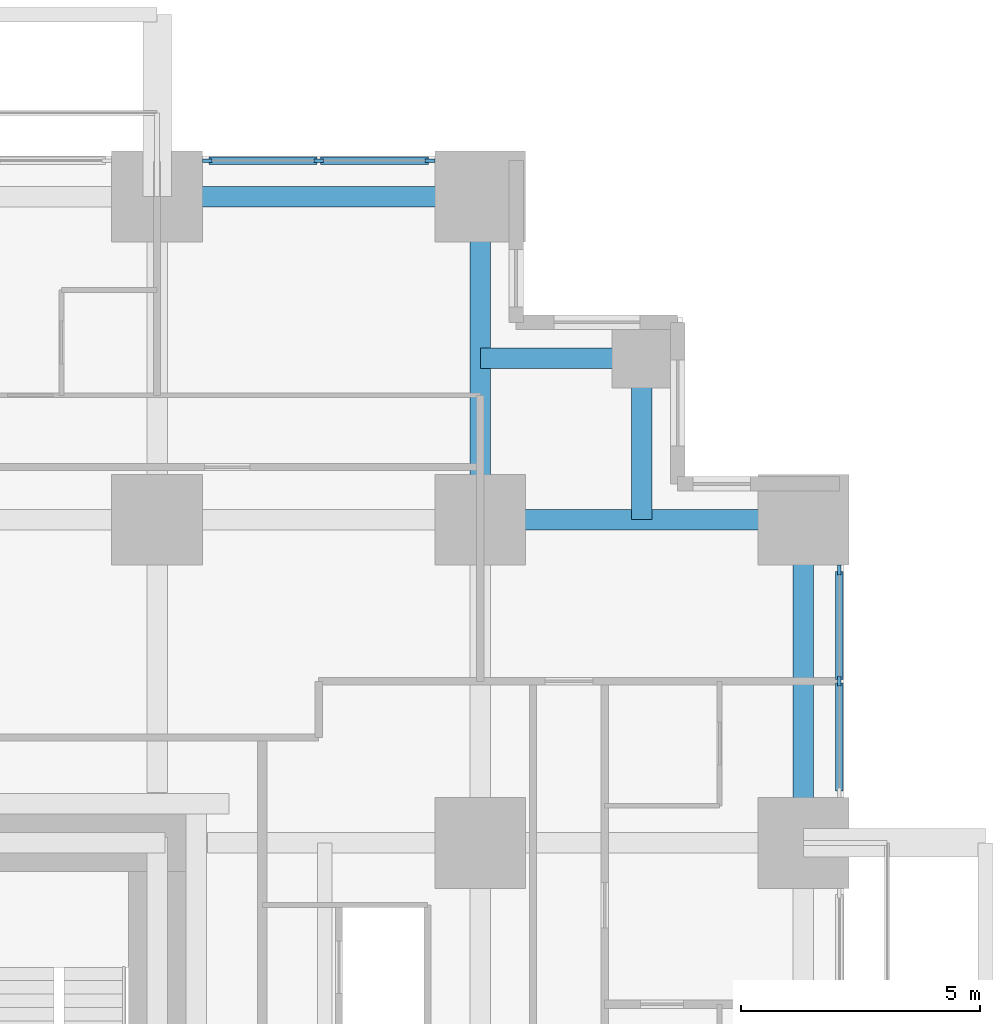
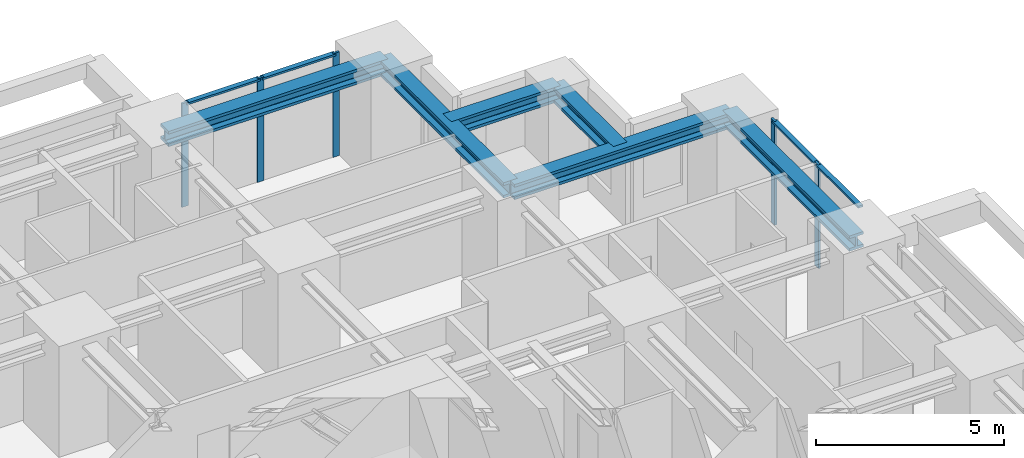
# One storey, part 6 of 14: 9 members, 6 beams, 2 elements without a shape of their own.
"""IFC4 building model written with IfcOpenShell, lengths in metres."""

import ifcopenshell
import ifcopenshell.guid

model = None  # the IFC model being written
_history = None  # IfcOwnerHistory: only IFC2X3 demands one
_inside = {}  # id of a spatial element -> (the spatial element, [elements in it])
_under = {}  # id of a project, library or spatial element -> (it, [spatial elements below it])
_declared = {}  # id of a project -> (the project, [libraries it declares])
_typed = {}  # id of a type object -> (the type object, [elements of that type])
_made_of = {}  # id of a material, layer set ... -> (it, [elements and type objects made of it])


def new_model(schema):
    """Start an empty IFC model of exactly this schema.

    Asked for "IFC4X3", IfcOpenShell would pick the latest addendum, in which some entities
    have other attributes; the version numbers below select the first issue.
    IFC2X3 requires an IfcOwnerHistory on every rooted entity: one is made here for all.
    """
    global model, _history
    if schema == "IFC4X3":
        model = ifcopenshell.file(schema_version=(4, 3, 0, 0))
    else:
        model = ifcopenshell.file(schema=schema)
    _inside.clear()
    _under.clear()
    _declared.clear()
    _typed.clear()
    _made_of.clear()
    _history = None
    if model.schema == "IFC2X3":
        org = make("IfcOrganization", Name="unknown")
        user = make(
            "IfcPersonAndOrganization",
            ThePerson=make("IfcPerson", FamilyName="unknown"),
            TheOrganization=org,
        )
        app = make(
            "IfcApplication",
            ApplicationDeveloper=org,
            Version="unknown",
            ApplicationFullName="unknown",
            ApplicationIdentifier="unknown",
        )
        _history = make(
            "IfcOwnerHistory",
            OwningUser=user,
            OwningApplication=app,
            ChangeAction="ADDED",
            CreationDate=0,
        )
    return model


def make(cls, **values):
    """One entity of the class cls with the attributes given. An attribute that is None is left unset."""
    return model.create_entity(
        cls, **{name: value for name, value in values.items() if value is not None}
    )


def rooted(cls, **values):
    """An entity with a GlobalId (a new one), such as an element, a storey or a relation."""
    return make(cls, GlobalId=ifcopenshell.guid.new(), OwnerHistory=_history, **values)


def si_unit(unit_type, name, prefix=None):
    """IfcSIUnit, for example si_unit("LENGTHUNIT", "METRE", prefix="MILLI")."""
    return make("IfcSIUnit", UnitType=unit_type, Prefix=prefix, Name=name)


def assignment(units):
    """IfcUnitAssignment: the units of a project."""
    return None if units is None else make("IfcUnitAssignment", Units=units)


def point(xyz):
    """IfcCartesianPoint."""
    return None if xyz is None else make("IfcCartesianPoint", Coordinates=xyz)


def direction(xyz):
    """IfcDirection."""
    return None if xyz is None else make("IfcDirection", DirectionRatios=xyz)


def frame(location, z_axis=None, x_axis=None):
    """IfcAxis2Placement3D, a coordinate frame: its origin and axes. An axis left out is left unset."""
    return make(
        "IfcAxis2Placement3D",
        Location=point(location),
        Axis=direction(z_axis),
        RefDirection=direction(x_axis),
    )


def frame_2d(location, x_axis=None):
    """IfcAxis2Placement2D, a coordinate frame in the plane: its origin and x axis."""
    return make(
        "IfcAxis2Placement2D", Location=point(location), RefDirection=direction(x_axis)
    )


def origin():
    """The frame at (0, 0, 0) with its axes left unset."""
    return frame((0.0, 0.0, 0.0))


def origin_2d():
    """The frame at (0, 0) in the plane with its x axis left unset."""
    return frame_2d((0.0, 0.0))


def place(relative_to, where):
    """IfcLocalPlacement: puts the frame where relative to a parent placement (None: the world)."""
    return make(
        "IfcLocalPlacement", PlacementRelTo=relative_to, RelativePlacement=where
    )


def context(
    kind, dimensions, precision=None, world=None, true_north=None, identifier=None
):
    """IfcGeometricRepresentationContext, for example the 3D "Model" context."""
    return make(
        "IfcGeometricRepresentationContext",
        ContextIdentifier=identifier,
        ContextType=kind,
        CoordinateSpaceDimension=dimensions,
        Precision=precision,
        WorldCoordinateSystem=world,
        TrueNorth=true_north,
    )


def subcontext(parent, identifier, kind, view, scale=None):
    """IfcGeometricRepresentationSubContext, for example "Body" below "Model"."""
    return make(
        "IfcGeometricRepresentationSubContext",
        ContextIdentifier=identifier,
        ContextType=kind,
        ParentContext=parent,
        TargetScale=scale,
        TargetView=view,
    )


def project(units=None, contexts=None):
    """IfcProject with its units and contexts."""
    return rooted(
        "IfcProject",
        Name="project",
        RepresentationContexts=contexts,
        UnitsInContext=assignment(units),
    )


def spatial(cls, under=None, at=None, **own):
    """A site, building, storey or space (cls), placed at a placement, below another one or the project."""
    s = rooted(cls, ObjectPlacement=at, **own)
    if under is not None:
        _under.setdefault(under.id(), (under, []))[1].append(s)
    return s


def profile(cls, at=None, kind="AREA", **sizes):
    """A parametric profile (cls). Its sizes go by their IFC names, for example OverallWidth=200.0."""
    return make(cls, ProfileType=kind, Position=at, **sizes)


def rectangle(**sizes):
    """IfcRectangleProfileDef."""
    return profile("IfcRectangleProfileDef", **sizes)


def i_section(**sizes):
    """IfcIShapeProfileDef."""
    return profile("IfcIShapeProfileDef", **sizes)


def extrude(swept, where, along, depth):
    """IfcExtrudedAreaSolid: the profile swept, set in the frame where, extruded along a direction by depth."""
    return make(
        "IfcExtrudedAreaSolid",
        SweptArea=swept,
        Position=where,
        ExtrudedDirection=direction(along),
        Depth=depth,
    )


def shape(context_of_items, identifier, shape_type, items):
    """IfcShapeRepresentation: the items that make up one representation, for example the "Body"."""
    return make(
        "IfcShapeRepresentation",
        ContextOfItems=context_of_items,
        RepresentationIdentifier=identifier,
        RepresentationType=shape_type,
        Items=items,
    )


def material(Name=None, Category=None):
    """IfcMaterial."""
    return make("IfcMaterial", Name=Name, Category=Category)


def material_profile(
    of_material, cross_section, Name=None, Category=None, Priority=None
):
    """IfcMaterialProfile: a cross section and its material."""
    return make(
        "IfcMaterialProfile",
        Name=Name,
        Material=of_material,
        Profile=cross_section,
        Priority=Priority,
        Category=Category,
    )


def profile_set(profiles, Name=None, composite=None):
    """IfcMaterialProfileSet."""
    return make(
        "IfcMaterialProfileSet",
        Name=Name,
        MaterialProfiles=profiles,
        CompositeProfile=composite,
    )


def made_of(thing, what):
    """Note that an element or type object is made of a material, layer set ...; save() writes the relation."""
    if what is not None:
        _made_of.setdefault(what.id(), (what, []))[1].append(thing)
    return thing


def type_object(cls, material=None, **own):
    """A type object (cls), such as IfcWallType, which elements share."""
    return made_of(rooted(cls, **own), material)


def element(
    cls,
    number,
    at=None,
    inside=None,
    cuts=None,
    type_object=None,
    material=None,
    context=None,
    identifier="Body",
    shape_type=None,
    held_by="IfcProductDefinitionShape",
    body=None,
    shapes=None,
    **own,
):
    """One element of the class cls, such as IfcWall. Its Tag is "e" and its number.

    at: its placement. inside: the storey or other place that contains it. cuts: it is an
    opening in that element (IfcRelVoidsElement). A single representation is given by context,
    identifier, shape_type and body (its items); several are given by shapes. held_by: the class
    of the entity that holds the representations. save() writes the other relations.
    """
    e = rooted(cls, Tag="e%d" % number, ObjectPlacement=at, **own)
    if body is not None:
        shapes = [shape(context, identifier, shape_type, body)]
    if shapes is not None:
        e.Representation = make(held_by, Representations=shapes)
    if inside is not None:
        _inside.setdefault(inside.id(), (inside, []))[1].append(e)
    if cuts is not None:
        rooted(
            "IfcRelVoidsElement", RelatingBuildingElement=cuts, RelatedOpeningElement=e
        )
    if type_object is not None:
        _typed.setdefault(type_object.id(), (type_object, []))[1].append(e)
    return made_of(e, material)


def aggregate(whole, parts):
    """IfcRelAggregates: a whole, such as a stair, and the parts it consists of."""
    return rooted("IfcRelAggregates", RelatingObject=whole, RelatedObjects=parts)


def save(model, path):
    """Write the relations noted so far, then the file.

    IfcRelAggregates (storeys below a building ...), IfcRelContainedInSpatialStructure (elements
    in a storey), IfcRelDefinesByType, IfcRelAssociatesMaterial and IfcRelDeclares: one each for
    every whole, place, type object, material and project.
    """
    for whole, parts in _under.values():
        aggregate(whole, parts)
    for where, things in _inside.values():
        rooted(
            "IfcRelContainedInSpatialStructure",
            RelatedElements=things,
            RelatingStructure=where,
        )
    for kind, things in _typed.values():
        rooted("IfcRelDefinesByType", RelatedObjects=things, RelatingType=kind)
    for what, things in _made_of.values():
        rooted("IfcRelAssociatesMaterial", RelatedObjects=things, RelatingMaterial=what)
    for by, libraries in _declared.values():
        rooted("IfcRelDeclares", RelatingContext=by, RelatedDefinitions=libraries)
    model.write(path)


model = new_model("IFC4")

# Units and contexts
model_context = context("Model", 3, precision=1e-05, world=origin(), true_north=direction((0.0, 1.0)))
body_context = subcontext(model_context, "Body", "Model", "MODEL_VIEW")
ifc_project = project(units=[si_unit("LENGTHUNIT", "METRE"), si_unit("AREAUNIT", "SQUARE_METRE"), si_unit("VOLUMEUNIT", "CUBIC_METRE"), si_unit("PLANEANGLEUNIT", "RADIAN"), si_unit("MASSUNIT", "GRAM", prefix="KILO")], contexts=[model_context])

# Site, building, storey
site_placement = place(None, origin())
site = spatial("IfcSite", under=ifc_project, at=site_placement, CompositionType="ELEMENT")
building_placement = place(site_placement, origin())
building = spatial("IfcBuilding", under=site, at=building_placement, Name="Nyansa Garden Tower", CompositionType="ELEMENT")
storey_placement = place(building_placement, frame((0.0, 0.0, 18.0)))
storey = spatial("IfcBuildingStorey", under=building, at=storey_placement, Name="L04", CompositionType="ELEMENT", Elevation=18.0)

# Curtain wall, members
ifc_material_1 = material(Name="Black anodised aluminium, dark tinted double glazing", Category="aluminium")
curtain_wall_type = type_object("IfcCurtainWallType", Name="Inner skin curtain wall ISW-A", PredefinedType="USERDEFINED", material=ifc_material_1)
curtain_wall_1_placement = place(storey_placement, origin())
curtain_wall_1 = element("IfcCurtainWall", 1, at=curtain_wall_1_placement, inside=storey, type_object=curtain_wall_type, Name="Inner skin curtain wall L04 E", ObjectType="UNITISED CURTAIN WALL", PredefinedType="USERDEFINED")
ifc_material_2 = material(Name="Black anodised aluminium", Category="aluminium")
ifc_material_profile_1 = material_profile(ifc_material_2, rectangle(XDim=0.06494140625, YDim=0.199951171875, at=origin_2d()), Name="Mullion 200x65")
ifc_profile_set_1 = profile_set([ifc_material_profile_1], Name="Black anodised aluminium")
member_type_1 = type_object("IfcMemberType", Name="Mullion ISW-A 200x65", PredefinedType="MULLION", material=ifc_profile_set_1)
member_1_placement = place(storey_placement, frame((41.25, 30.375, 0.0), z_axis=(0.0, 0.0, 1.0), x_axis=(-1.0, 0.0, 0.0)))
member_1 = element("IfcMember", 2, at=member_1_placement, type_object=member_type_1, Name="ISW-A mullion 2", PredefinedType="MULLION", context=body_context, shape_type="SweptSolid", body=[
    extrude(rectangle(XDim=0.06494140625, YDim=0.199951171875, at=origin_2d()), origin(), (0.0, 0.0, 1.0), 3.375),
])
member_2_placement = place(storey_placement, frame((41.25, 32.699951171875, 0.0), z_axis=(0.0, 0.0, 1.0), x_axis=(-1.0, 0.0, 0.0)))
member_2 = element("IfcMember", 3, at=member_2_placement, type_object=member_type_1, Name="ISW-A mullion 3", PredefinedType="MULLION", context=body_context, shape_type="SweptSolid", body=[
    extrude(rectangle(XDim=0.06494140625, YDim=0.199951171875, at=origin_2d()), origin(), (0.0, 0.0, 1.0), 3.375),
])

curtain_wall_2_placement = place(storey_placement, origin())
curtain_wall_2 = element("IfcCurtainWall", 4, at=curtain_wall_2_placement, inside=storey, type_object=curtain_wall_type, Name="Inner skin curtain wall L04 N", ObjectType="UNITISED CURTAIN WALL", PredefinedType="USERDEFINED")
member_3_placement = place(storey_placement, frame((32.699951171875, 41.25, 0.0), z_axis=(0.0, 0.0, 1.0), x_axis=(0.0, -1.0, 0.0)))
member_3 = element("IfcMember", 5, at=member_3_placement, type_object=member_type_1, Name="ISW-A mullion 1", PredefinedType="MULLION", context=body_context, shape_type="SweptSolid", body=[
    extrude(rectangle(XDim=0.06494140625, YDim=0.199951171875, at=origin_2d()), origin(), (0.0, 0.0, 1.0), 3.375),
])
member_4_placement = place(storey_placement, frame((30.375, 41.25, 0.0), z_axis=(0.0, 0.0, 1.0), x_axis=(0.0, -1.0, 0.0)))
member_4 = element("IfcMember", 6, at=member_4_placement, type_object=member_type_1, Name="ISW-A mullion 2", PredefinedType="MULLION", context=body_context, shape_type="SweptSolid", body=[
    extrude(rectangle(XDim=0.06494140625, YDim=0.199951171875, at=origin_2d()), origin(), (0.0, 0.0, 1.0), 3.375),
])
member_5_placement = place(storey_placement, frame((28.050048828125, 41.25, 0.0), z_axis=(0.0, 0.0, 1.0), x_axis=(0.0, -1.0, 0.0)))
member_5 = element("IfcMember", 7, at=member_5_placement, type_object=member_type_1, Name="ISW-A mullion 3", PredefinedType="MULLION", context=body_context, shape_type="SweptSolid", body=[
    extrude(rectangle(XDim=0.06494140625, YDim=0.199951171875, at=origin_2d()), origin(), (0.0, 0.0, 1.0), 3.375),
])

# Beams
ifc_material_3 = material(Name="Steel S355", Category="steel")
ifc_material_profile_2 = material_profile(ifc_material_3, i_section(OverallWidth=0.431884765625, OverallDepth=0.498046875, WebThickness=0.0556640625, FlangeThickness=0.0888671875, FilletRadius=0.014892578125, at=origin_2d()), Name="HD 400x744")
ifc_profile_set_2 = profile_set([ifc_material_profile_2], Name="Steel S355")
beam_type_1 = type_object("IfcBeamType", Name="Steel beam SBA1-744 HD 400x744", PredefinedType="BEAM", material=ifc_profile_set_2)
for number, where, z_axis, x_axis, name in (
    (8, (33.75, 33.75, 3.1259765625), (0.0, 1.0, 0.0), (-1.0, 0.0, 0.0), "Steel beam 7/J-7/K L05"),
    (9, (33.75, 33.75, 3.1259765625), (1.0, 0.0, 0.0), (0.0, 1.0, 0.0), "Steel beam 7/J-8/J L05"),
):
    element("IfcBeam", number, at=place(storey_placement, frame(where, z_axis=z_axis, x_axis=x_axis)), inside=storey, type_object=beam_type_1, Name=name, PredefinedType="BEAM", context=body_context, shape_type="SweptSolid", body=[
        extrude(i_section(OverallWidth=0.431884765625, OverallDepth=0.498046875, WebThickness=0.0556640625, FlangeThickness=0.0888671875, FilletRadius=0.014892578125, at=origin_2d()), origin(), (0.0, 0.0, 1.0), 6.75),
    ])
ifc_material_4 = material(Name="Steel S355", Category="steel")
ifc_material_profile_3 = material_profile(ifc_material_4, i_section(OverallWidth=0.431884765625, OverallDepth=0.498046875, WebThickness=0.0556640625, FlangeThickness=0.0888671875, FilletRadius=0.014892578125, at=origin_2d()), Name="HD 400x744")
ifc_profile_set_3 = profile_set([ifc_material_profile_3], Name="Steel S355")
beam_type_2 = type_object("IfcBeamType", Name="Steel beam SEBA-744 HD 400x744", PredefinedType="BEAM", material=ifc_profile_set_3)
for number, where, z_axis, x_axis, name in (
    (10, (27.0, 40.5, 3.1259765625), (1.0, 0.0, 0.0), (0.0, 1.0, 0.0), "Steel edge beam 6/K-7/K L05"),
    (11, (40.5, 27.0, 3.1259765625), (0.0, 1.0, 0.0), (-1.0, 0.0, 0.0), "Steel edge beam 8/H-8/J L05"),
):
    element("IfcBeam", number, at=place(storey_placement, frame(where, z_axis=z_axis, x_axis=x_axis)), inside=storey, type_object=beam_type_2, Name=name, PredefinedType="BEAM", context=body_context, shape_type="SweptSolid", body=[
        extrude(i_section(OverallWidth=0.431884765625, OverallDepth=0.498046875, WebThickness=0.0556640625, FlangeThickness=0.0888671875, FilletRadius=0.014892578125, at=origin_2d()), origin(), (0.0, 0.0, 1.0), 6.75),
    ])
ifc_material_5 = material(Name="Steel S355", Category="steel")
ifc_material_profile_4 = material_profile(ifc_material_5, i_section(OverallWidth=0.431884765625, OverallDepth=0.498046875, WebThickness=0.0556640625, FlangeThickness=0.0888671875, FilletRadius=0.014892578125, at=origin_2d()), Name="HD 400x744")
ifc_profile_set_4 = profile_set([ifc_material_profile_4], Name="Steel S355")
beam_type_3 = type_object("IfcBeamType", Name="Steel beam SSB1-744 HD 400x744", PredefinedType="BEAM", material=ifc_profile_set_4)
for number, where, z_axis, x_axis, name in (
    (12, (37.125, 37.125, 3.1259765625), (0.0, -1.0, 0.0), (1.0, 0.0, 0.0), "Steel step beam 37.125/37.125 L05"),
    (13, (37.125, 37.125, 3.1259765625), (-1.0, 0.0, 0.0), (0.0, -1.0, 0.0), "Steel step beam 37.125/37.125 L05"),
):
    element("IfcBeam", number, at=place(storey_placement, frame(where, z_axis=z_axis, x_axis=x_axis)), inside=storey, type_object=beam_type_3, Name=name, PredefinedType="BEAM", context=body_context, shape_type="SweptSolid", body=[
        extrude(i_section(OverallWidth=0.431884765625, OverallDepth=0.498046875, WebThickness=0.0556640625, FlangeThickness=0.0888671875, FilletRadius=0.014892578125, at=origin_2d()), origin(), (0.0, 0.0, 1.0), 3.375),
    ])

# Member
ifc_material_6 = material(Name="Black anodised aluminium", Category="aluminium")
ifc_material_profile_5 = material_profile(ifc_material_6, rectangle(XDim=0.14990234375, YDim=0.06494140625, at=origin_2d()), Name="Transom 150x65")
ifc_profile_set_5 = profile_set([ifc_material_profile_5], Name="Black anodised aluminium")
member_type_2 = type_object("IfcMemberType", Name="Transom ISW-A 150x65", PredefinedType="USERDEFINED", material=ifc_profile_set_5)
member_6_placement = place(storey_placement, frame((41.25, 28.08251953125, 3.342529296875), z_axis=(0.0, 1.0, 0.0), x_axis=(-1.0, 0.0, 0.0)))
member_6 = element("IfcMember", 14, at=member_6_placement, type_object=member_type_2, Name="ISW-A transom 1", ObjectType="TRANSOM", PredefinedType="USERDEFINED", context=body_context, shape_type="SweptSolid", body=[
    extrude(rectangle(XDim=0.14990234375, YDim=0.06494140625, at=origin_2d()), origin(), (0.0, 0.0, 1.0), 2.260009765625),
])

member_7_placement = place(storey_placement, frame((41.25, 30.407470703125, 3.342529296875), z_axis=(0.0, 1.0, 0.0), x_axis=(-1.0, 0.0, 0.0)))
member_7 = element("IfcMember", 15, at=member_7_placement, type_object=member_type_2, Name="ISW-A transom 2", ObjectType="TRANSOM", PredefinedType="USERDEFINED", context=body_context, shape_type="SweptSolid", body=[
    extrude(rectangle(XDim=0.14990234375, YDim=0.06494140625, at=origin_2d()), origin(), (0.0, 0.0, 1.0), 2.260009765625),
])

aggregate(curtain_wall_1, [member_1, member_2, member_6, member_7])

member_8_placement = place(storey_placement, frame((32.66748046875, 41.25, 3.342529296875), z_axis=(-1.0, 0.0, 0.0), x_axis=(0.0, -1.0, 0.0)))
member_8 = element("IfcMember", 16, at=member_8_placement, type_object=member_type_2, Name="ISW-A transom 1", ObjectType="TRANSOM", PredefinedType="USERDEFINED", context=body_context, shape_type="SweptSolid", body=[
    extrude(rectangle(XDim=0.14990234375, YDim=0.06494140625, at=origin_2d()), origin(), (0.0, 0.0, 1.0), 2.260009765625),
])

member_9_placement = place(storey_placement, frame((30.342529296875, 41.25, 3.342529296875), z_axis=(-1.0, 0.0, 0.0), x_axis=(0.0, -1.0, 0.0)))
member_9 = element("IfcMember", 17, at=member_9_placement, type_object=member_type_2, Name="ISW-A transom 2", ObjectType="TRANSOM", PredefinedType="USERDEFINED", context=body_context, shape_type="SweptSolid", body=[
    extrude(rectangle(XDim=0.14990234375, YDim=0.06494140625, at=origin_2d()), origin(), (0.0, 0.0, 1.0), 2.260009765625),
])

aggregate(curtain_wall_2, [member_3, member_4, member_5, member_8, member_9])

save(model, "model.ifc")
